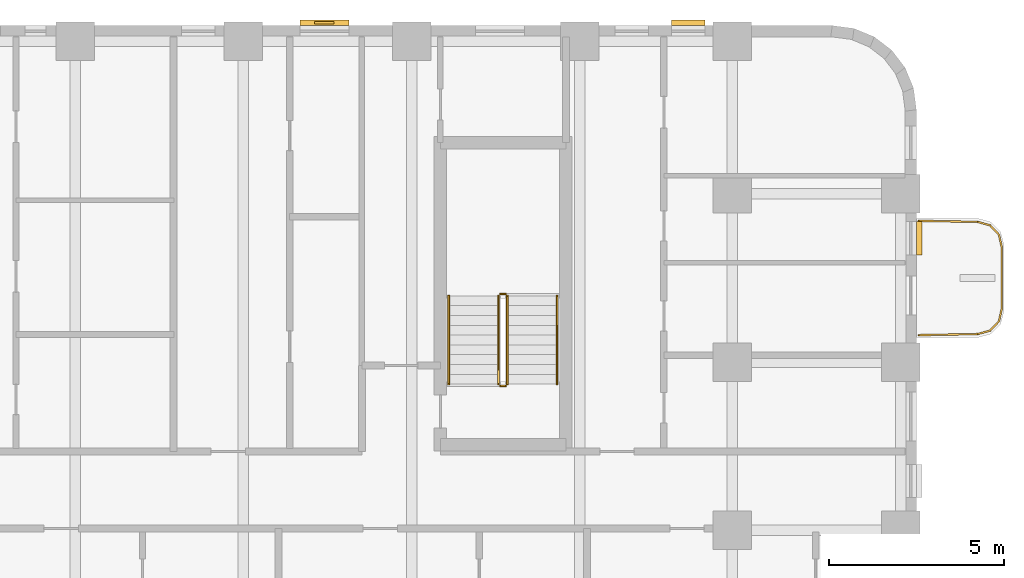
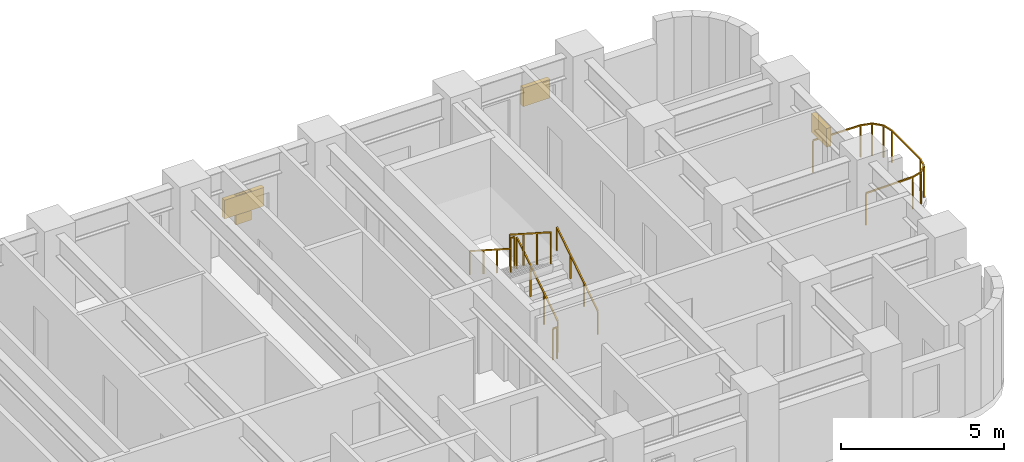
# One storey, part 11 of 11: 7 railings, 4 shading devices.
"""IFC4 building model written with IfcOpenShell, lengths in metres."""

from ifc_helpers import new_model, si_unit, direction, frame, origin, origin_2d, place, context, subcontext, project, spatial, rectangle, extrude, material, type_object, element, save


model = new_model("IFC4")

# Units and contexts
model_context = context("Model", 3, precision=1e-05, world=origin(), true_north=direction((0.0, 1.0)))
body_context = subcontext(model_context, "Body", "Model", "MODEL_VIEW")
ifc_project = project(units=[si_unit("LENGTHUNIT", "METRE"), si_unit("AREAUNIT", "SQUARE_METRE"), si_unit("VOLUMEUNIT", "CUBIC_METRE"), si_unit("PLANEANGLEUNIT", "RADIAN"), si_unit("MASSUNIT", "GRAM", prefix="KILO")], contexts=[model_context])

# Site, building, storey
site_placement = place(None, origin())
site = spatial("IfcSite", under=ifc_project, at=site_placement, CompositionType="ELEMENT")
building_placement = place(site_placement, origin())
building = spatial("IfcBuilding", under=site, at=building_placement, Name="Orvandelia Arch Residences", CompositionType="ELEMENT")
storey_placement = place(building_placement, frame((0.0, 0.0, 79.0)))
storey = spatial("IfcBuildingStorey", under=building, at=storey_placement, Name="L20", CompositionType="ELEMENT", Elevation=79.0)

# Railings
ifc_material_1 = material(Name="Marine-Grade Stainless Steel 316", Category="steel")
railing_type_1 = type_object("IfcRailingType", Name="GRD-BAL-1200", PredefinedType="BALUSTRADE", material=ifc_material_1)
railing_1_placement = place(storey_placement, frame((57.671875, 39.169677734375, 0.0)))
element("IfcRailing", 1, at=railing_1_placement, inside=storey, type_object=railing_type_1, Name="Safety Balustrade Guard GRD-L20-BAL-L20-E1-1", PredefinedType="BALUSTRADE", context=body_context, shape_type="SweptSolid", body=[
    extrude(rectangle(XDim=0.048095703125, YDim=0.048095703125, at=origin_2d()), frame((0.0, 0.0, 1.19580078125), z_axis=(0.999837384468, 0.018033430643, 0.0), x_axis=(-0.018033430643, 0.999837384468, 0.0)), (0.0, 0.0, 1.0), 1.6787109375),
    extrude(rectangle(XDim=0.048095703125, YDim=0.048095703125, at=origin_2d()), frame((1.678466796875, 0.0302734375, 1.19580078125), z_axis=(0.963441293861, 0.267919527627, 0.0), x_axis=(-0.267919527627, 0.963441293861, 0.0)), (0.0, 0.0, 1.0), 0.365478515625),
    extrude(rectangle(XDim=0.048095703125, YDim=0.048095703125, at=origin_2d()), frame((2.030517578125, 0.128173828125, 1.19580078125), z_axis=(0.688296224633, 0.725429739642, 0.0), x_axis=(-0.725429739642, 0.688296224633, 0.0)), (0.0, 0.0, 1.0), 0.3681640625),
    extrude(rectangle(XDim=0.048095703125, YDim=0.048095703125, at=origin_2d()), frame((2.283935546875, 0.395263671875, 1.19580078125), z_axis=(0.221225034864, 0.975222786828, 0.0), x_axis=(-0.975222786828, 0.221225034864, 0.0)), (0.0, 0.0, 1.0), 0.373046875),
    extrude(rectangle(XDim=0.048095703125, YDim=0.048095703125, at=origin_2d()), frame((2.366455078125, 0.759033203125, 1.19580078125), z_axis=(0.0, 1.0, 0.0), x_axis=(-1.0, 0.0, 0.0)), (0.0, 0.0, 1.0), 1.74267578125),
    extrude(rectangle(XDim=0.048095703125, YDim=0.048095703125, at=origin_2d()), frame((2.366455078125, 2.501708984375, 1.19580078125), z_axis=(-0.221225034864, 0.975222786828, 0.0), x_axis=(-0.975222786828, -0.221225034864, 0.0)), (0.0, 0.0, 1.0), 0.373046875),
    extrude(rectangle(XDim=0.048095703125, YDim=0.048095703125, at=origin_2d()), frame((2.283935546875, 2.865478515625, 1.19580078125), z_axis=(-0.688627404251, 0.725115368831, 0.0), x_axis=(-0.725115368831, -0.688627404251, 0.0)), (0.0, 0.0, 1.0), 0.367919921875),
    extrude(rectangle(XDim=0.048095703125, YDim=0.048095703125, at=origin_2d()), frame((2.030517578125, 3.13232421875, 1.19580078125), z_axis=(-0.963441293861, 0.267919527627, 0.0), x_axis=(-0.267919527627, -0.963441293861, 0.0)), (0.0, 0.0, 1.0), 0.365478515625),
    extrude(rectangle(XDim=0.048095703125, YDim=0.048095703125, at=origin_2d()), frame((1.678466796875, 3.230224609375, 1.19580078125), z_axis=(-0.999834751713, 0.018178813668, 0.0), x_axis=(-0.018178813668, -0.999834751713, 0.0)), (0.0, 0.0, 1.0), 1.6787109375),
    extrude(rectangle(XDim=0.0419921875, YDim=0.0419921875, at=origin_2d()), origin(), (0.0, 0.0, 1.0), 1.171875),
    extrude(rectangle(XDim=0.0419921875, YDim=0.0419921875, at=origin_2d()), frame((1.678466796875, 0.0302734375, 0.0)), (0.0, 0.0, 1.0), 1.171875),
    extrude(rectangle(XDim=0.0419921875, YDim=0.0419921875, at=origin_2d()), frame((2.030517578125, 0.128173828125, 0.0)), (0.0, 0.0, 1.0), 1.171875),
    extrude(rectangle(XDim=0.0419921875, YDim=0.0419921875, at=origin_2d()), frame((2.283935546875, 0.395263671875, 0.0)), (0.0, 0.0, 1.0), 1.171875),
    extrude(rectangle(XDim=0.0419921875, YDim=0.0419921875, at=origin_2d()), frame((2.366455078125, 0.759033203125, 0.0)), (0.0, 0.0, 1.0), 1.171875),
    extrude(rectangle(XDim=0.0419921875, YDim=0.0419921875, at=origin_2d()), frame((2.366455078125, 2.501708984375, 0.0)), (0.0, 0.0, 1.0), 1.171875),
    extrude(rectangle(XDim=0.0419921875, YDim=0.0419921875, at=origin_2d()), frame((2.283935546875, 2.865478515625, 0.0)), (0.0, 0.0, 1.0), 1.171875),
    extrude(rectangle(XDim=0.0419921875, YDim=0.0419921875, at=origin_2d()), frame((2.030517578125, 3.13232421875, 0.0)), (0.0, 0.0, 1.0), 1.171875),
    extrude(rectangle(XDim=0.0419921875, YDim=0.0419921875, at=origin_2d()), frame((1.678466796875, 3.230224609375, 0.0)), (0.0, 0.0, 1.0), 1.171875),
    extrude(rectangle(XDim=0.0419921875, YDim=0.0419921875, at=origin_2d()), frame((0.0, 3.2607421875, 0.0)), (0.0, 0.0, 1.0), 1.171875),
])
ifc_material_2 = material(Name="Brushed Stainless Steel 304", Category="steel")
railing_type_2 = type_object("IfcRailingType", Name="RL-STAIR-GD1120", PredefinedType="GUARDRAIL", material=ifc_material_2)
railing_2_placement = place(storey_placement, frame((45.929931640625, 37.77001953125, 0.179931640625)))
element("IfcRailing", 2, at=railing_2_placement, inside=storey, type_object=railing_type_2, Name="L20 ST-3 stair guard 1", PredefinedType="GUARDRAIL", context=body_context, shape_type="SweptSolid", body=[
    extrude(rectangle(XDim=0.048095703125, YDim=0.048095703125, at=origin_2d()), frame((0.0, 0.0, 1.17578125), z_axis=(0.0, 0.841162588446, 0.540782303519), x_axis=(-1.0, 0.0, 0.0)), (0.0, 0.0, 1.0), 2.995849609375),
    extrude(rectangle(XDim=0.0419921875, YDim=0.0419921875, at=origin_2d()), origin(), (0.0, 0.0, 1.0), 1.15185546875),
    extrude(rectangle(XDim=0.0419921875, YDim=0.0419921875, at=origin_2d()), frame((0.0, 0.840087890625, 0.5400390625)), (0.0, 0.0, 1.0), 1.15185546875),
    extrude(rectangle(XDim=0.0419921875, YDim=0.0419921875, at=origin_2d()), frame((0.0, 1.679931640625, 1.080078125)), (0.0, 0.0, 1.0), 1.15185546875),
    extrude(rectangle(XDim=0.0419921875, YDim=0.0419921875, at=origin_2d()), frame((0.0, 2.52001953125, 1.6201171875)), (0.0, 0.0, 1.0), 1.15185546875),
])
railing_3_placement = place(storey_placement, frame((45.8798828125, 40.340087890625, 1.800048828125)))
element("IfcRailing", 3, at=railing_3_placement, inside=storey, type_object=railing_type_2, Name="L20 ST-3 stair guard 2", PredefinedType="GUARDRAIL", context=body_context, shape_type="SweptSolid", body=[
    extrude(rectangle(XDim=0.048095703125, YDim=0.048095703125, at=origin_2d()), frame((0.0, 0.0, 1.17578125), z_axis=(-1.0, 0.0, 0.0), x_axis=(0.0, -1.0, 0.0)), (0.0, 0.0, 1.0), 0.14990234375),
    extrude(rectangle(XDim=0.0419921875, YDim=0.0419921875, at=origin_2d()), origin(), (0.0, 0.0, 1.0), 1.15185546875),
    extrude(rectangle(XDim=0.0419921875, YDim=0.0419921875, at=origin_2d()), frame((-0.14990234375, 0.0, 0.0)), (0.0, 0.0, 1.0), 1.15185546875),
])
railing_4_placement = place(storey_placement, frame((45.679931640625, 40.2900390625, 1.97998046875)))
element("IfcRailing", 4, at=railing_4_placement, inside=storey, type_object=railing_type_2, Name="L20 ST-3 stair guard 3", PredefinedType="GUARDRAIL", context=body_context, shape_type="SweptSolid", body=[
    extrude(rectangle(XDim=0.048095703125, YDim=0.048095703125, at=origin_2d()), frame((0.0, 0.0, 1.17578125), z_axis=(0.0, -0.841162588446, 0.540782303519), x_axis=(1.0, 0.0, 0.0)), (0.0, 0.0, 1.0), 2.995849609375),
    extrude(rectangle(XDim=0.0419921875, YDim=0.0419921875, at=origin_2d()), origin(), (0.0, 0.0, 1.0), 1.15185546875),
    extrude(rectangle(XDim=0.0419921875, YDim=0.0419921875, at=origin_2d()), frame((0.0, -0.840087890625, 0.5400390625)), (0.0, 0.0, 1.0), 1.15185546875),
    extrude(rectangle(XDim=0.0419921875, YDim=0.0419921875, at=origin_2d()), frame((0.0, -1.679931640625, 1.080078125)), (0.0, 0.0, 1.0), 1.15185546875),
    extrude(rectangle(XDim=0.0419921875, YDim=0.0419921875, at=origin_2d()), frame((0.0, -2.52001953125, 1.6201171875)), (0.0, 0.0, 1.0), 1.15185546875),
])
railing_5_placement = place(storey_placement, frame((45.8798828125, 37.719970703125, 0.0)))
element("IfcRailing", 5, at=railing_5_placement, inside=storey, type_object=railing_type_2, Name="L20 ST-3 stair guard 4", PredefinedType="GUARDRAIL", context=body_context, shape_type="SweptSolid", body=[
    extrude(rectangle(XDim=0.048095703125, YDim=0.048095703125, at=origin_2d()), frame((0.0, 0.0, 1.17578125), z_axis=(-1.0, 0.0, 0.0), x_axis=(0.0, -1.0, 0.0)), (0.0, 0.0, 1.0), 0.14990234375),
    extrude(rectangle(XDim=0.0419921875, YDim=0.0419921875, at=origin_2d()), origin(), (0.0, 0.0, 1.0), 1.15185546875),
    extrude(rectangle(XDim=0.0419921875, YDim=0.0419921875, at=origin_2d()), frame((-0.14990234375, 0.0, 0.0)), (0.0, 0.0, 1.0), 1.15185546875),
])
railing_type_3 = type_object("IfcRailingType", Name="RL-STAIR-HR920", PredefinedType="HANDRAIL", material=ifc_material_2)
railing_6_placement = place(storey_placement, frame((47.35009765625, 37.77001953125, 0.360107421875)))
element("IfcRailing", 6, at=railing_6_placement, inside=storey, type_object=railing_type_3, Name="L20 ST-3 stair handrail 1", PredefinedType="HANDRAIL", context=body_context, shape_type="SweptSolid", body=[
    extrude(rectangle(XDim=0.048095703125, YDim=0.048095703125, at=origin_2d()), frame((0.0, 0.0, 0.8759765625), z_axis=(0.0, 0.841199657755, 0.540724639528), x_axis=(-1.0, 0.0, 0.0)), (0.0, 0.0, 1.0), 2.995849609375),
    extrude(rectangle(XDim=0.0419921875, YDim=0.0419921875, at=origin_2d()), origin(), (0.0, 0.0, 1.0), 0.851806640625),
    extrude(rectangle(XDim=0.0419921875, YDim=0.0419921875, at=origin_2d()), frame((0.0, 0.840087890625, 0.5400390625)), (0.0, 0.0, 1.0), 0.851806640625),
    extrude(rectangle(XDim=0.0419921875, YDim=0.0419921875, at=origin_2d()), frame((0.0, 1.679931640625, 1.079833984375)), (0.0, 0.0, 1.0), 0.851806640625),
    extrude(rectangle(XDim=0.0419921875, YDim=0.0419921875, at=origin_2d()), frame((0.0, 2.52001953125, 1.619873046875)), (0.0, 0.0, 1.0), 0.851806640625),
])
railing_7_placement = place(storey_placement, frame((44.260009765625, 40.2900390625, 2.159912109375)))
element("IfcRailing", 7, at=railing_7_placement, inside=storey, type_object=railing_type_3, Name="L20 ST-3 stair handrail 2", PredefinedType="HANDRAIL", context=body_context, shape_type="SweptSolid", body=[
    extrude(rectangle(XDim=0.048095703125, YDim=0.048095703125, at=origin_2d()), frame((0.0, 0.0, 0.8759765625), z_axis=(0.0, -0.841162588446, 0.540782303519), x_axis=(1.0, 0.0, 0.0)), (0.0, 0.0, 1.0), 2.995849609375),
    extrude(rectangle(XDim=0.0419921875, YDim=0.0419921875, at=origin_2d()), origin(), (0.0, 0.0, 1.0), 0.851806640625),
    extrude(rectangle(XDim=0.0419921875, YDim=0.0419921875, at=origin_2d()), frame((0.0, -0.840087890625, 0.5400390625)), (0.0, 0.0, 1.0), 0.851806640625),
    extrude(rectangle(XDim=0.0419921875, YDim=0.0419921875, at=origin_2d()), frame((0.0, -1.679931640625, 1.080078125)), (0.0, 0.0, 1.0), 0.851806640625),
    extrude(rectangle(XDim=0.0419921875, YDim=0.0419921875, at=origin_2d()), frame((0.0, -2.52001953125, 1.6201171875)), (0.0, 0.0, 1.0), 0.851806640625),
])

# Shading devices
ifc_material_3 = material(Name="Anodised Champagne-Bronze Extruded Aluminium", Category="aluminium")
shading_device_type_1 = type_object("IfcShadingDeviceType", Name="SHD-JALOUSIE-SCREEN", PredefinedType="JALOUSIE", material=ifc_material_3)
shading_device_1_placement = place(storey_placement, frame((51.08837890625, 48.080078125, 1.5498046875), z_axis=(0.0, 0.0, 1.0), x_axis=(1.0, 0.0, 0.0)))
element("IfcShadingDevice", 8, at=shading_device_1_placement, inside=storey, type_object=shading_device_type_1, Name="Bronze Jalousie Sun-Shade L20-001", PredefinedType="JALOUSIE", context=body_context, shape_type="SweptSolid", body=[
    extrude(rectangle(XDim=0.949951171875, YDim=0.159912109375, at=origin_2d()), origin(), (0.0, 0.0, 1.0), 0.699951171875),
])
shading_device_2_placement = place(storey_placement, frame((40.7099609375, 48.080078125, 1.0498046875), z_axis=(0.0, 0.0, 1.0), x_axis=(1.0, 0.0, 0.0)))
element("IfcShadingDevice", 9, at=shading_device_2_placement, inside=storey, type_object=shading_device_type_1, Name="Bronze Jalousie Sun-Shade L20-003", PredefinedType="JALOUSIE", context=body_context, shape_type="SweptSolid", body=[
    extrude(rectangle(XDim=1.39990234375, YDim=0.159912109375, at=origin_2d()), origin(), (0.0, 0.0, 1.0), 0.699951171875),
])
shading_device_3_placement = place(storey_placement, frame((57.679931640625, 41.931396484375, 1.5498046875), z_axis=(0.0, 0.0, 1.0), x_axis=(0.0, -1.0, 0.0)))
element("IfcShadingDevice", 10, at=shading_device_3_placement, inside=storey, type_object=shading_device_type_1, Name="Bronze Jalousie Sun-Shade L20-005", PredefinedType="JALOUSIE", context=body_context, shape_type="SweptSolid", body=[
    extrude(rectangle(XDim=0.949951171875, YDim=0.159912109375, at=origin_2d()), origin(), (0.0, 0.0, 1.0), 0.699951171875),
])
ifc_material_4 = material(Name="Marine-Grade Perforated Aluminium Storm Shutter", Category="aluminium")
shading_device_type_2 = type_object("IfcShadingDeviceType", Name="SHD-STORM-SHUTTER", PredefinedType="SHUTTER", material=ifc_material_4)
shading_device_4_placement = place(storey_placement, frame((40.7099609375, 48.080078125, 0.64990234375), z_axis=(0.0, 0.0, 1.0), x_axis=(1.0, 0.0, 0.0)))
element("IfcShadingDevice", 11, at=shading_device_4_placement, inside=storey, type_object=shading_device_type_2, Name="Operable Typhoon Storm Shutter L20-003", PredefinedType="SHUTTER", context=body_context, shape_type="SweptSolid", body=[
    extrude(rectangle(XDim=0.550048828125, YDim=0.080078125, at=origin_2d()), origin(), (0.0, 0.0, 1.0), 1.10009765625),
])

save(model, "model.ifc")
